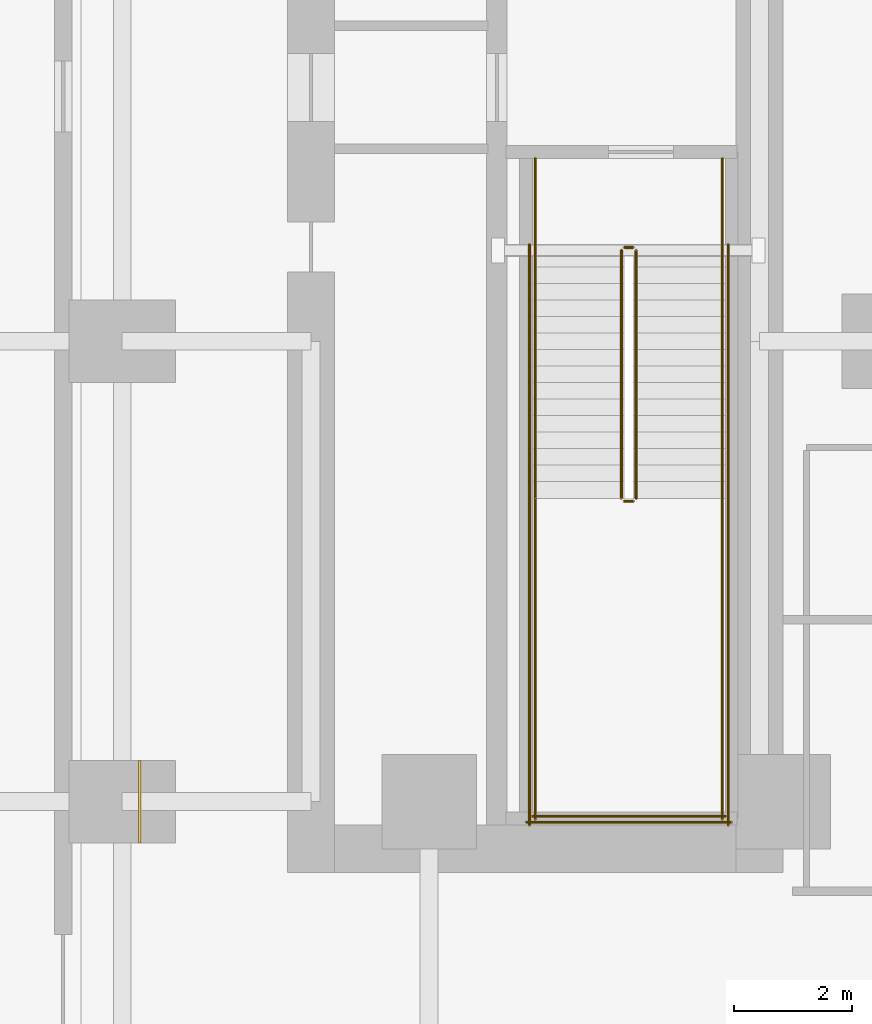
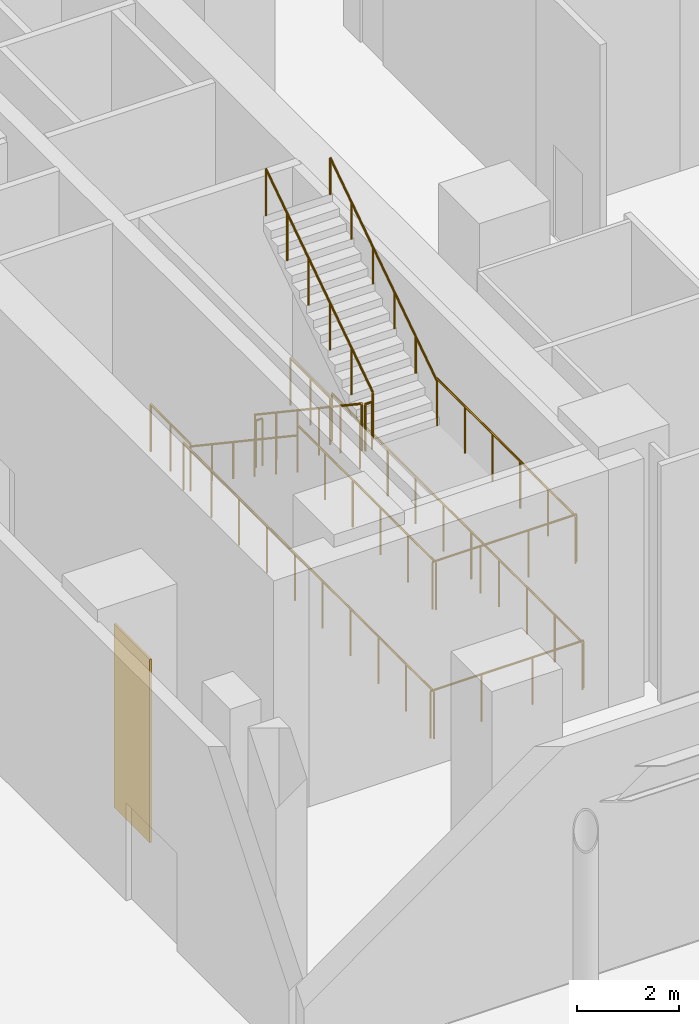
# One storey, part 18 of 22: 14 railings, 1 covering.
"""IFC4 building model written with IfcOpenShell, lengths in metres."""

from ifc_helpers import new_model, si_unit, direction, frame, origin, origin_2d, place, context, subcontext, project, spatial, rectangle, circle, extrude, material, layer, layer_set, type_object, element, save


model = new_model("IFC4")

# Units and contexts
model_context = context("Model", 3, precision=1e-05, world=origin(), true_north=direction((0.0, 1.0)))
body_context = subcontext(model_context, "Body", "Model", "MODEL_VIEW")
ifc_project = project(units=[si_unit("LENGTHUNIT", "METRE"), si_unit("AREAUNIT", "SQUARE_METRE"), si_unit("VOLUMEUNIT", "CUBIC_METRE"), si_unit("PLANEANGLEUNIT", "RADIAN"), si_unit("MASSUNIT", "GRAM", prefix="KILO")], contexts=[model_context])

# Site, building, storey
site_placement = place(None, origin())
site = spatial("IfcSite", under=ifc_project, at=site_placement, CompositionType="ELEMENT")
building_placement = place(site_placement, origin())
building = spatial("IfcBuilding", under=site, at=building_placement, Name="Khairoan Windgate Tower", CompositionType="ELEMENT")
storey_placement = place(building_placement, origin())
storey = spatial("IfcBuildingStorey", under=building, at=storey_placement, Name="L01", CompositionType="ELEMENT", Elevation=0.0)

# Covering
ifc_material_1 = material(Name="Anodised Bronze Aluminium 6063-T6", Category="aluminium")
ifc_layer = layer(ifc_material_1, 0.0400390625, Name="Anodised Bronze Aluminium 6063-T6")
ifc_layer_set = layer_set([ifc_layer], Name="Anodised Bronze Aluminium 6063-T6")
covering_type = type_object("IfcCoveringType", Name="Anodised Bronze Arch Pier Cladding", PredefinedType="CLADDING", material=ifc_layer_set)
covering_placement = place(storey_placement, frame((9.5, -18.60009765625, 0.0), z_axis=(0.0, 0.0, 1.0), x_axis=(1.0, 0.0, 0.0)))
element("IfcCovering", 1, at=covering_placement, inside=storey, type_object=covering_type, Name="L01 Arch Pier Bronze Cladding 02", PredefinedType="CLADDING", context=body_context, shape_type="SweptSolid", body=[
    extrude(rectangle(XDim=0.0400390625, YDim=1.39990234375, at=origin_2d()), origin(), (0.0, 0.0, 1.0), 4.39990234375),
])

# Railings
ifc_material_2 = material(Name="Anodised Bronze Aluminium 6063-T6", Category="aluminium")
railing_type_1 = type_object("IfcRailingType", Name="Stair Wall Handrail SHR-900", PredefinedType="HANDRAIL", material=ifc_material_2)
railing_1_placement = place(storey_placement, frame((16.199951171875, -9.260009765625, 0.1875)))
element("IfcRailing", 2, at=railing_1_placement, inside=storey, type_object=railing_type_1, Name="L01 ST1 stair handrail 1", PredefinedType="HANDRAIL", context=body_context, shape_type="SweptSolid", body=[
    extrude(circle(Radius=0.02392578125, at=origin_2d()), frame((0.0, 0.0, 0.8759765625), z_axis=(0.0, -0.830904186295, 0.556415522067), x_axis=(1.0, 0.0, 0.0)), (0.0, 0.0, 1.0), 5.0546875),
    extrude(circle(Radius=0.02099609375, at=origin_2d()), origin(), (0.0, 0.0, 1.0), 0.851806640625),
    extrude(circle(Radius=0.02099609375, at=origin_2d()), frame((0.0, -0.840087890625, 0.5625)), (0.0, 0.0, 1.0), 0.851806640625),
    extrude(circle(Radius=0.02099609375, at=origin_2d()), frame((0.0, -1.679931640625, 1.125)), (0.0, 0.0, 1.0), 0.851806640625),
    extrude(circle(Radius=0.02099609375, at=origin_2d()), frame((0.0, -2.52001953125, 1.6875)), (0.0, 0.0, 1.0), 0.851806640625),
    extrude(circle(Radius=0.02099609375, at=origin_2d()), frame((0.0, -3.35986328125, 2.25)), (0.0, 0.0, 1.0), 0.851806640625),
    extrude(circle(Radius=0.02099609375, at=origin_2d()), frame((0.0, -4.199951171875, 2.8125)), (0.0, 0.0, 1.0), 0.851806640625),
])
railing_2_placement = place(storey_placement, frame((19.3701171875, -13.4599609375, 3.1875)))
element("IfcRailing", 3, at=railing_2_placement, inside=storey, type_object=railing_type_1, Name="L01 ST1 stair handrail 2", PredefinedType="HANDRAIL", context=body_context, shape_type="SweptSolid", body=[
    extrude(circle(Radius=0.02392578125, at=origin_2d()), frame((0.0, 0.0, 0.8759765625), z_axis=(0.0, 0.830904186295, 0.556415522067), x_axis=(-1.0, 0.0, 0.0)), (0.0, 0.0, 1.0), 5.0546875),
    extrude(circle(Radius=0.02099609375, at=origin_2d()), origin(), (0.0, 0.0, 1.0), 0.851806640625),
    extrude(circle(Radius=0.02099609375, at=origin_2d()), frame((0.0, 0.840087890625, 0.5625)), (0.0, 0.0, 1.0), 0.851806640625),
    extrude(circle(Radius=0.02099609375, at=origin_2d()), frame((0.0, 1.679931640625, 1.125)), (0.0, 0.0, 1.0), 0.851806640625),
    extrude(circle(Radius=0.02099609375, at=origin_2d()), frame((0.0, 2.52001953125, 1.6875)), (0.0, 0.0, 1.0), 0.851806640625),
    extrude(circle(Radius=0.02099609375, at=origin_2d()), frame((0.0, 3.35986328125, 2.25)), (0.0, 0.0, 1.0), 0.851806640625),
    extrude(circle(Radius=0.02099609375, at=origin_2d()), frame((0.0, 4.199951171875, 2.8125)), (0.0, 0.0, 1.0), 0.851806640625),
])
ifc_material_3 = material(Name="Steel S355", Category="steel")
railing_type_2 = type_object("IfcRailingType", Name="Stairwell Safety Guardrail SGR-1150", PredefinedType="GUARDRAIL", material=ifc_material_3)
railing_3_placement = place(storey_placement, frame((17.659912109375, -9.260009765625, 0.1875)))
element("IfcRailing", 4, at=railing_3_placement, inside=storey, type_object=railing_type_2, Name="L01 ST1 stair guard 1", PredefinedType="GUARDRAIL", context=body_context, shape_type="SweptSolid", body=[
    extrude(circle(Radius=0.02392578125, at=origin_2d()), frame((0.0, 0.0, 1.1259765625), z_axis=(0.0, -0.830904186295, 0.556415522067), x_axis=(1.0, 0.0, 0.0)), (0.0, 0.0, 1.0), 5.0546875),
    extrude(circle(Radius=0.02099609375, at=origin_2d()), origin(), (0.0, 0.0, 1.0), 1.101806640625),
    extrude(circle(Radius=0.02099609375, at=origin_2d()), frame((0.0, -0.840087890625, 0.5625)), (0.0, 0.0, 1.0), 1.101806640625),
    extrude(circle(Radius=0.02099609375, at=origin_2d()), frame((0.0, -1.679931640625, 1.125)), (0.0, 0.0, 1.0), 1.101806640625),
    extrude(circle(Radius=0.02099609375, at=origin_2d()), frame((0.0, -2.52001953125, 1.6875)), (0.0, 0.0, 1.0), 1.101806640625),
    extrude(circle(Radius=0.02099609375, at=origin_2d()), frame((0.0, -3.35986328125, 2.25)), (0.0, 0.0, 1.0), 1.101806640625),
    extrude(circle(Radius=0.02099609375, at=origin_2d()), frame((0.0, -4.199951171875, 2.8125)), (0.0, 0.0, 1.0), 1.101806640625),
])
railing_4_placement = place(storey_placement, frame((17.7099609375, -13.510009765625, 3.0)))
element("IfcRailing", 5, at=railing_4_placement, inside=storey, type_object=railing_type_2, Name="L01 ST1 stair guard 2", PredefinedType="GUARDRAIL", context=body_context, shape_type="SweptSolid", body=[
    extrude(circle(Radius=0.02392578125, at=origin_2d()), frame((0.0, 0.0, 1.1259765625), z_axis=(1.0, 0.0, 0.0), x_axis=(0.0, 1.0, 0.0)), (0.0, 0.0, 1.0), 0.150146484375),
    extrude(circle(Radius=0.02099609375, at=origin_2d()), origin(), (0.0, 0.0, 1.0), 1.101806640625),
    extrude(circle(Radius=0.02099609375, at=origin_2d()), frame((0.150146484375, 0.0, 0.0)), (0.0, 0.0, 1.0), 1.101806640625),
])
for number, where, name in (
    (6, (16.199951171875, -13.4599609375, 3.0), "L01 ST1 stair guard 3"),
    (7, (19.3701171875, -13.4599609375, 3.0), "L01 ST1 stair guard 4"),
):
    element("IfcRailing", number, at=place(storey_placement, frame(where)), inside=storey, type_object=railing_type_2, Name=name, PredefinedType="GUARDRAIL", context=body_context, shape_type="SweptSolid", body=[
        extrude(circle(Radius=0.02392578125, at=origin_2d()), frame((0.0, 0.0, 1.1259765625), z_axis=(0.0, -1.0, 0.0), x_axis=(1.0, 0.0, 0.0)), (0.0, 0.0, 1.0), 5.43994140625),
        extrude(circle(Radius=0.02099609375, at=origin_2d()), origin(), (0.0, 0.0, 1.0), 1.101806640625),
        extrude(circle(Radius=0.02099609375, at=origin_2d()), frame((0.0, -1.087890625, 0.0)), (0.0, 0.0, 1.0), 1.101806640625),
        extrude(circle(Radius=0.02099609375, at=origin_2d()), frame((0.0, -2.176025390625, 0.0)), (0.0, 0.0, 1.0), 1.101806640625),
        extrude(circle(Radius=0.02099609375, at=origin_2d()), frame((0.0, -3.263916015625, 0.0)), (0.0, 0.0, 1.0), 1.101806640625),
        extrude(circle(Radius=0.02099609375, at=origin_2d()), frame((0.0, -4.35205078125, 0.0)), (0.0, 0.0, 1.0), 1.101806640625),
        extrude(circle(Radius=0.02099609375, at=origin_2d()), frame((0.0, -5.43994140625, 0.0)), (0.0, 0.0, 1.0), 1.101806640625),
    ])
railing_5_placement = place(storey_placement, frame((16.14990234375, -18.85009765625, 3.0)))
element("IfcRailing", 8, at=railing_5_placement, inside=storey, type_object=railing_type_2, Name="L01 ST1 stair guard 5", PredefinedType="GUARDRAIL", context=body_context, shape_type="SweptSolid", body=[
    extrude(circle(Radius=0.02392578125, at=origin_2d()), frame((0.0, 0.0, 1.1259765625), z_axis=(1.0, 0.0, 0.0), x_axis=(0.0, 1.0, 0.0)), (0.0, 0.0, 1.0), 3.27001953125),
    extrude(circle(Radius=0.02099609375, at=origin_2d()), origin(), (0.0, 0.0, 1.0), 1.101806640625),
    extrude(circle(Radius=0.02099609375, at=origin_2d()), frame((1.090087890625, 0.0, 0.0)), (0.0, 0.0, 1.0), 1.101806640625),
    extrude(circle(Radius=0.02099609375, at=origin_2d()), frame((2.179931640625, 0.0, 0.0)), (0.0, 0.0, 1.0), 1.101806640625),
    extrude(circle(Radius=0.02099609375, at=origin_2d()), frame((3.27001953125, 0.0, 0.0)), (0.0, 0.0, 1.0), 1.101806640625),
])
railing_6_placement = place(storey_placement, frame((17.909912109375, -13.4599609375, 3.1875)))
element("IfcRailing", 9, at=railing_6_placement, inside=storey, type_object=railing_type_2, Name="L01 ST1 stair guard 6", PredefinedType="GUARDRAIL", context=body_context, shape_type="SweptSolid", body=[
    extrude(circle(Radius=0.02392578125, at=origin_2d()), frame((0.0, 0.0, 1.1259765625), z_axis=(0.0, 0.830904186295, 0.556415522067), x_axis=(-1.0, 0.0, 0.0)), (0.0, 0.0, 1.0), 5.0546875),
    extrude(circle(Radius=0.02099609375, at=origin_2d()), origin(), (0.0, 0.0, 1.0), 1.101806640625),
    extrude(circle(Radius=0.02099609375, at=origin_2d()), frame((0.0, 0.840087890625, 0.5625)), (0.0, 0.0, 1.0), 1.101806640625),
    extrude(circle(Radius=0.02099609375, at=origin_2d()), frame((0.0, 1.679931640625, 1.125)), (0.0, 0.0, 1.0), 1.101806640625),
    extrude(circle(Radius=0.02099609375, at=origin_2d()), frame((0.0, 2.52001953125, 1.6875)), (0.0, 0.0, 1.0), 1.101806640625),
    extrude(circle(Radius=0.02099609375, at=origin_2d()), frame((0.0, 3.35986328125, 2.25)), (0.0, 0.0, 1.0), 1.101806640625),
    extrude(circle(Radius=0.02099609375, at=origin_2d()), frame((0.0, 4.199951171875, 2.8125)), (0.0, 0.0, 1.0), 1.101806640625),
])
railing_7_placement = place(storey_placement, frame((17.7099609375, -9.2099609375, 0.0)))
element("IfcRailing", 10, at=railing_7_placement, inside=storey, type_object=railing_type_2, Name="L01 ST1 stair guard 7", PredefinedType="GUARDRAIL", context=body_context, shape_type="SweptSolid", body=[
    extrude(circle(Radius=0.02392578125, at=origin_2d()), frame((0.0, 0.0, 1.1259765625), z_axis=(1.0, 0.0, 0.0), x_axis=(0.0, 1.0, 0.0)), (0.0, 0.0, 1.0), 0.150146484375),
    extrude(circle(Radius=0.02099609375, at=origin_2d()), origin(), (0.0, 0.0, 1.0), 1.101806640625),
    extrude(circle(Radius=0.02099609375, at=origin_2d()), frame((0.150146484375, 0.0, 0.0)), (0.0, 0.0, 1.0), 1.101806640625),
])
for number, where, name in (
    (11, (16.199951171875, -7.699951171875, 0.0), "L01 ST1 stair guard 8"),
    (12, (19.3701171875, -7.699951171875, 0.0), "L01 ST1 stair guard 9"),
):
    element("IfcRailing", number, at=place(storey_placement, frame(where)), inside=storey, type_object=railing_type_2, Name=name, PredefinedType="GUARDRAIL", context=body_context, shape_type="SweptSolid", body=[
        extrude(circle(Radius=0.02392578125, at=origin_2d()), frame((0.0, 0.0, 1.1259765625), z_axis=(0.0, -1.0, 0.0), x_axis=(1.0, 0.0, 0.0)), (0.0, 0.0, 1.0), 1.56005859375),
        extrude(circle(Radius=0.02099609375, at=origin_2d()), origin(), (0.0, 0.0, 1.0), 1.101806640625),
        extrude(circle(Radius=0.02099609375, at=origin_2d()), frame((0.0, -0.780029296875, 0.0)), (0.0, 0.0, 1.0), 1.101806640625),
        extrude(circle(Radius=0.02099609375, at=origin_2d()), frame((0.0, -1.56005859375, 0.0)), (0.0, 0.0, 1.0), 1.101806640625),
    ])
for number, where, name in (
    (13, (16.10009765625, -9.159912109375, 0.0), "L01 ST1 stair guard 10"),
    (14, (19.469970703125, -9.159912109375, 0.0), "L01 ST1 stair guard 11"),
):
    element("IfcRailing", number, at=place(storey_placement, frame(where)), inside=storey, type_object=railing_type_2, Name=name, PredefinedType="GUARDRAIL", context=body_context, shape_type="SweptSolid", body=[
        extrude(circle(Radius=0.02392578125, at=origin_2d()), frame((0.0, 0.0, 1.1259765625), z_axis=(0.0, -1.0, 0.0), x_axis=(1.0, 0.0, 0.0)), (0.0, 0.0, 1.0), 9.840087890625),
        extrude(circle(Radius=0.02099609375, at=origin_2d()), origin(), (0.0, 0.0, 1.0), 1.101806640625),
        extrude(circle(Radius=0.02099609375, at=origin_2d()), frame((0.0, -1.09326171875, 0.0)), (0.0, 0.0, 1.0), 1.101806640625),
        extrude(circle(Radius=0.02099609375, at=origin_2d()), frame((0.0, -2.186767578125, 0.0)), (0.0, 0.0, 1.0), 1.101806640625),
        extrude(circle(Radius=0.02099609375, at=origin_2d()), frame((0.0, -3.280029296875, 0.0)), (0.0, 0.0, 1.0), 1.101806640625),
        extrude(circle(Radius=0.02099609375, at=origin_2d()), frame((0.0, -4.373291015625, 0.0)), (0.0, 0.0, 1.0), 1.101806640625),
        extrude(circle(Radius=0.02099609375, at=origin_2d()), frame((0.0, -5.466796875, 0.0)), (0.0, 0.0, 1.0), 1.101806640625),
        extrude(circle(Radius=0.02099609375, at=origin_2d()), frame((0.0, -6.56005859375, 0.0)), (0.0, 0.0, 1.0), 1.101806640625),
        extrude(circle(Radius=0.02099609375, at=origin_2d()), frame((0.0, -7.6533203125, 0.0)), (0.0, 0.0, 1.0), 1.101806640625),
        extrude(circle(Radius=0.02099609375, at=origin_2d()), frame((0.0, -8.746826171875, 0.0)), (0.0, 0.0, 1.0), 1.101806640625),
        extrude(circle(Radius=0.02099609375, at=origin_2d()), frame((0.0, -9.840087890625, 0.0)), (0.0, 0.0, 1.0), 1.101806640625),
    ])
railing_8_placement = place(storey_placement, frame((16.050048828125, -18.949951171875, 0.0)))
element("IfcRailing", 15, at=railing_8_placement, inside=storey, type_object=railing_type_2, Name="L01 ST1 stair guard 12", PredefinedType="GUARDRAIL", context=body_context, shape_type="SweptSolid", body=[
    extrude(circle(Radius=0.02392578125, at=origin_2d()), frame((0.0, 0.0, 1.1259765625), z_axis=(1.0, 0.0, 0.0), x_axis=(0.0, 1.0, 0.0)), (0.0, 0.0, 1.0), 3.469970703125),
    extrude(circle(Radius=0.02099609375, at=origin_2d()), origin(), (0.0, 0.0, 1.0), 1.101806640625),
    extrude(circle(Radius=0.02099609375, at=origin_2d()), frame((1.15673828125, 0.0, 0.0)), (0.0, 0.0, 1.0), 1.101806640625),
    extrude(circle(Radius=0.02099609375, at=origin_2d()), frame((2.313232421875, 0.0, 0.0)), (0.0, 0.0, 1.0), 1.101806640625),
    extrude(circle(Radius=0.02099609375, at=origin_2d()), frame((3.469970703125, 0.0, 0.0)), (0.0, 0.0, 1.0), 1.101806640625),
])

save(model, "model.ifc")
